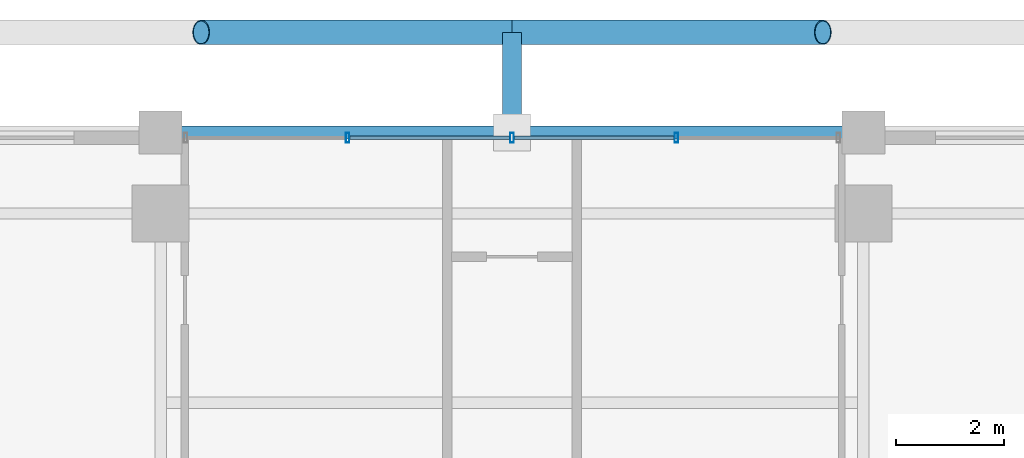
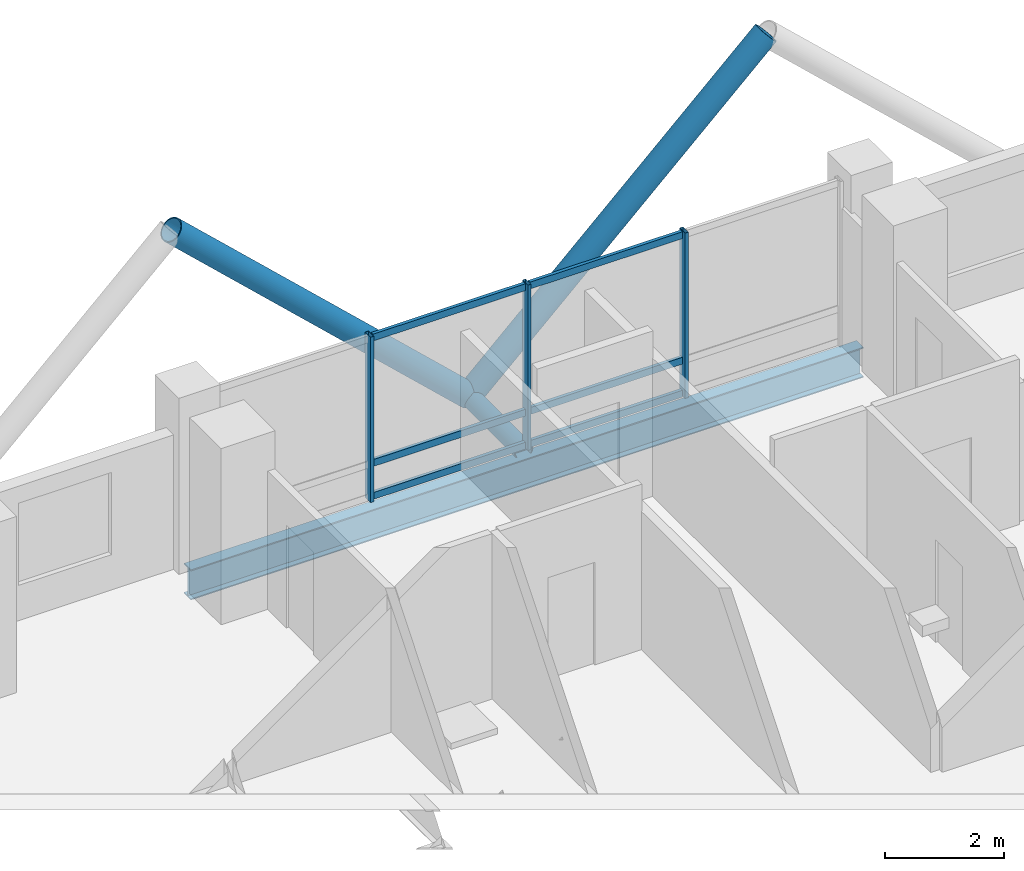
# One storey, part 17 of 26: 12 members, 1 beam, 1 element without a shape of its own.
"""IFC4 building model written with IfcOpenShell, lengths in metres."""

from ifc_helpers import new_model, si_unit, direction, frame, origin, origin_2d, place, context, subcontext, project, spatial, hollow_rectangle, hollow_circle, i_section, extrude, material, layer, layer_set, material_profile, profile_set, type_object, element, aggregate, save


model = new_model("IFC4")

# Units and contexts
model_context = context("Model", 3, precision=1e-05, world=origin(), true_north=direction((0.0, 1.0)))
body_context = subcontext(model_context, "Body", "Model", "MODEL_VIEW")
ifc_project = project(units=[si_unit("LENGTHUNIT", "METRE"), si_unit("AREAUNIT", "SQUARE_METRE"), si_unit("VOLUMEUNIT", "CUBIC_METRE"), si_unit("PLANEANGLEUNIT", "RADIAN"), si_unit("MASSUNIT", "GRAM", prefix="KILO")], contexts=[model_context])

# Site, building, storey
site_placement = place(None, origin())
site = spatial("IfcSite", under=ifc_project, at=site_placement, CompositionType="ELEMENT")
building_placement = place(site_placement, origin())
building = spatial("IfcBuilding", under=site, at=building_placement, Name="Barlavira Tower and Art Museum", CompositionType="ELEMENT")
storey_placement = place(building_placement, frame((0.0, 0.0, 187.199951171875)))
storey = spatial("IfcBuildingStorey", under=building, at=storey_placement, Name="L48", CompositionType="ELEMENT", Elevation=187.199951171875)

# Curtain wall, members
ifc_material_1 = material(Name="Low-iron coastal laminated glass", Category="glass")
ifc_layer = layer(ifc_material_1, 0.199951171875, Name="Low-iron coastal laminated glass")
ifc_layer_set = layer_set([ifc_layer], Name="Low-iron coastal laminated glass")
curtain_wall_type = type_object("IfcCurtainWallType", Name="Pale-Metal Unitised Curtain Wall Zone 3", PredefinedType="NOTDEFINED", material=ifc_layer_set)
curtain_wall_placement = place(storey_placement, origin())
curtain_wall = element("IfcCurtainWall", 1, at=curtain_wall_placement, inside=storey, type_object=curtain_wall_type, Name="L48 Curtain Wall CW3-L48-N-B3", PredefinedType="NOTDEFINED")
ifc_material_2 = material(Name="Pale anodised aluminium", Category="aluminium")
ifc_material_profile_1 = material_profile(ifc_material_2, hollow_rectangle(XDim=0.06494140625, YDim=0.179931640625, WallThickness=0.00390625, at=origin_2d()), Name="ALU-MULL 65x180x4")
ifc_profile_set_1 = profile_set([ifc_material_profile_1], Name="Pale anodised aluminium")
member_type_1 = type_object("IfcMemberType", Name="Curtain Wall Pale-Metal Mullion 65x180", PredefinedType="MULLION", material=ifc_profile_set_1)
member_1_placement = place(storey_placement, frame((3.0400390625, 21.39990234375, 0.0), z_axis=(0.0, 0.0, 1.0), x_axis=(-1.0, 0.0, 0.0)))
member_1 = element("IfcMember", 2, at=member_1_placement, type_object=member_type_1, Name="CW3-L48-N-B3 Mullion 1", PredefinedType="MULLION", context=body_context, shape_type="SweptSolid", body=[
    extrude(hollow_rectangle(XDim=0.06494140625, YDim=0.179931640625, WallThickness=0.00390625, at=origin_2d()), origin(), (0.0, 0.0, 1.0), 3.380126953125),
])
member_2_placement = place(storey_placement, frame((0.0, 21.39990234375, 0.0), z_axis=(0.0, 0.0, 1.0), x_axis=(-1.0, 0.0, 0.0)))
member_2 = element("IfcMember", 3, at=member_2_placement, type_object=member_type_1, Name="CW3-L48-N-B3 Mullion 2", PredefinedType="MULLION", context=body_context, shape_type="SweptSolid", body=[
    extrude(hollow_rectangle(XDim=0.06494140625, YDim=0.179931640625, WallThickness=0.00390625, at=origin_2d()), origin(), (0.0, 0.0, 1.0), 3.380126953125),
])
member_3_placement = place(storey_placement, frame((-3.0400390625, 21.39990234375, 0.0), z_axis=(0.0, 0.0, 1.0), x_axis=(-1.0, 0.0, 0.0)))
member_3 = element("IfcMember", 4, at=member_3_placement, type_object=member_type_1, Name="CW3-L48-N-B3 Mullion 3", PredefinedType="MULLION", context=body_context, shape_type="SweptSolid", body=[
    extrude(hollow_rectangle(XDim=0.06494140625, YDim=0.179931640625, WallThickness=0.00390625, at=origin_2d()), origin(), (0.0, 0.0, 1.0), 3.380126953125),
])
ifc_material_profile_2 = material_profile(ifc_material_2, hollow_rectangle(XDim=0.06494140625, YDim=0.139892578125, WallThickness=0.00390625, at=origin_2d()), Name="ALU-TRAN 65x140x4")
ifc_profile_set_2 = profile_set([ifc_material_profile_2], Name="Pale anodised aluminium")
member_type_2 = type_object("IfcMemberType", Name="Curtain Wall Pale-Metal Transom 65x140", PredefinedType="USERDEFINED", material=ifc_profile_set_2)
member_4_placement = place(storey_placement, frame((2.9951171875, 21.39990234375, 0.070068359375), z_axis=(-1.0, 0.0, 0.0), x_axis=(0.0, -1.0, 0.0)))
member_4 = element("IfcMember", 5, at=member_4_placement, type_object=member_type_2, Name="CW3-L48-N-B3 Transom 1.1", ObjectType="TRANSOM", PredefinedType="USERDEFINED", context=body_context, shape_type="SweptSolid", body=[
    extrude(hollow_rectangle(XDim=0.06494140625, YDim=0.139892578125, WallThickness=0.00390625, at=origin_2d()), origin(), (0.0, 0.0, 1.0), 2.9501953125),
])
member_5_placement = place(storey_placement, frame((2.9951171875, 21.39990234375, 0.744140625), z_axis=(-1.0, 0.0, 0.0), x_axis=(0.0, -1.0, 0.0)))
member_5 = element("IfcMember", 6, at=member_5_placement, type_object=member_type_2, Name="CW3-L48-N-B3 Transom 1.2", ObjectType="TRANSOM", PredefinedType="USERDEFINED", context=body_context, shape_type="SweptSolid", body=[
    extrude(hollow_rectangle(XDim=0.06494140625, YDim=0.139892578125, WallThickness=0.00390625, at=origin_2d()), origin(), (0.0, 0.0, 1.0), 2.9501953125),
])
member_6_placement = place(storey_placement, frame((2.9951171875, 21.39990234375, 3.31005859375), z_axis=(-1.0, 0.0, 0.0), x_axis=(0.0, -1.0, 0.0)))
member_6 = element("IfcMember", 7, at=member_6_placement, type_object=member_type_2, Name="CW3-L48-N-B3 Transom 1.3", ObjectType="TRANSOM", PredefinedType="USERDEFINED", context=body_context, shape_type="SweptSolid", body=[
    extrude(hollow_rectangle(XDim=0.06494140625, YDim=0.139892578125, WallThickness=0.00390625, at=origin_2d()), origin(), (0.0, 0.0, 1.0), 2.9501953125),
])
member_7_placement = place(storey_placement, frame((-0.044921875, 21.39990234375, 0.070068359375), z_axis=(-1.0, 0.0, 0.0), x_axis=(0.0, -1.0, 0.0)))
member_7 = element("IfcMember", 8, at=member_7_placement, type_object=member_type_2, Name="CW3-L48-N-B3 Transom 2.1", ObjectType="TRANSOM", PredefinedType="USERDEFINED", context=body_context, shape_type="SweptSolid", body=[
    extrude(hollow_rectangle(XDim=0.06494140625, YDim=0.139892578125, WallThickness=0.00390625, at=origin_2d()), origin(), (0.0, 0.0, 1.0), 2.9501953125),
])
member_8_placement = place(storey_placement, frame((-0.044921875, 21.39990234375, 0.744140625), z_axis=(-1.0, 0.0, 0.0), x_axis=(0.0, -1.0, 0.0)))
member_8 = element("IfcMember", 9, at=member_8_placement, type_object=member_type_2, Name="CW3-L48-N-B3 Transom 2.2", ObjectType="TRANSOM", PredefinedType="USERDEFINED", context=body_context, shape_type="SweptSolid", body=[
    extrude(hollow_rectangle(XDim=0.06494140625, YDim=0.139892578125, WallThickness=0.00390625, at=origin_2d()), origin(), (0.0, 0.0, 1.0), 2.9501953125),
])
member_9_placement = place(storey_placement, frame((-0.044921875, 21.39990234375, 3.31005859375), z_axis=(-1.0, 0.0, 0.0), x_axis=(0.0, -1.0, 0.0)))
member_9 = element("IfcMember", 10, at=member_9_placement, type_object=member_type_2, Name="CW3-L48-N-B3 Transom 2.3", ObjectType="TRANSOM", PredefinedType="USERDEFINED", context=body_context, shape_type="SweptSolid", body=[
    extrude(hollow_rectangle(XDim=0.06494140625, YDim=0.139892578125, WallThickness=0.00390625, at=origin_2d()), origin(), (0.0, 0.0, 1.0), 2.9501953125),
])
aggregate(curtain_wall, [member_1, member_2, member_3, member_4, member_5, member_6, member_7, member_8, member_9])

# Members
ifc_material_3 = material(Name="Steel S355", Category="steel")
ifc_material_profile_3 = material_profile(ifc_material_3, hollow_circle(Radius=0.228515625, WallThickness=0.02001953125, at=origin_2d()), Name="CHS 457.0x20.0")
ifc_profile_set_3 = profile_set([ifc_material_profile_3], Name="Steel S355")
member_type_3 = type_object("IfcMemberType", Name="Pale-Metal Exoskeleton Diagrid Tube CHS 457x20 Steel S355", PredefinedType="BRACE", material=ifc_profile_set_3)
for number, where, z_axis, x_axis, name in (
    (11, (0.0, 23.35009765625, -0.119873046875), (-0.728950095515, 0.0, 0.684566839869), (0.0, -1.0, 0.0), "L48 Exoskeleton Diagrid Tube N"),
    (12, (0.0, 23.35009765625, -0.119873046875), (0.728950095515, 0.0, 0.684566839869), (0.0, 1.0, 0.0), "L48 Exoskeleton Diagrid Tube N"),
):
    element("IfcMember", number, at=place(storey_placement, frame(where, z_axis=z_axis, x_axis=x_axis)), inside=storey, type_object=member_type_3, Name=name, PredefinedType="BRACE", context=body_context, shape_type="SweptSolid", body=[
        extrude(hollow_circle(Radius=0.228515625, WallThickness=0.02001953125, at=origin_2d()), origin(), (0.0, 0.0, 1.0), 7.887939453125),
    ])
ifc_material_profile_4 = material_profile(ifc_material_3, hollow_circle(Radius=0.177734375, WallThickness=0.01611328125, at=origin_2d()), Name="CHS 355.6x16.0")
ifc_profile_set_4 = profile_set([ifc_material_profile_4], Name="Steel S355")
member_type_4 = type_object("IfcMemberType", Name="Pale-Metal Exoskeleton Tie Strut CHS 356x16 Steel S355", PredefinedType="STRUT", material=ifc_profile_set_4)
member_10_placement = place(storey_placement, frame((0.0, 23.35009765625, -0.119873046875), z_axis=(0.0, -1.0, 0.0), x_axis=(1.0, 0.0, 0.0)))
element("IfcMember", 13, at=member_10_placement, inside=storey, type_object=member_type_4, Name="L48 Exoskeleton Tie Strut N2", PredefinedType="STRUT", context=body_context, shape_type="SweptSolid", body=[
    extrude(hollow_circle(Radius=0.177734375, WallThickness=0.01611328125, at=origin_2d()), origin(), (0.0, 0.0, 1.0), 1.85009765625),
])

# Beam
ifc_material_profile_5 = material_profile(ifc_material_3, i_section(OverallWidth=0.22998046875, OverallDepth=0.616943359375, WebThickness=0.01318359375, FlangeThickness=0.022216796875, at=origin_2d()), Name="W610x140.0")
ifc_profile_set_5 = profile_set([ifc_material_profile_5], Name="Steel S355")
beam_type = type_object("IfcBeamType", Name="Upper Shaft Spandrel Edge Beam W610x140 Steel S355", PredefinedType="SPANDREL", material=ifc_profile_set_5)
beam_placement = place(storey_placement, frame((-6.5, 21.5, -0.528564453125), z_axis=(1.0, 0.0, 0.0), x_axis=(0.0, 1.0, 0.0)))
element("IfcBeam", 14, at=beam_placement, inside=storey, type_object=beam_type, Name="L48 Spandrel 10", PredefinedType="SPANDREL", context=body_context, shape_type="SweptSolid", body=[
    extrude(i_section(OverallWidth=0.22998046875, OverallDepth=0.616943359375, WebThickness=0.01318359375, FlangeThickness=0.022216796875, at=origin_2d()), origin(), (0.0, 0.0, 1.0), 13.0),
])

save(model, "model.ifc")
